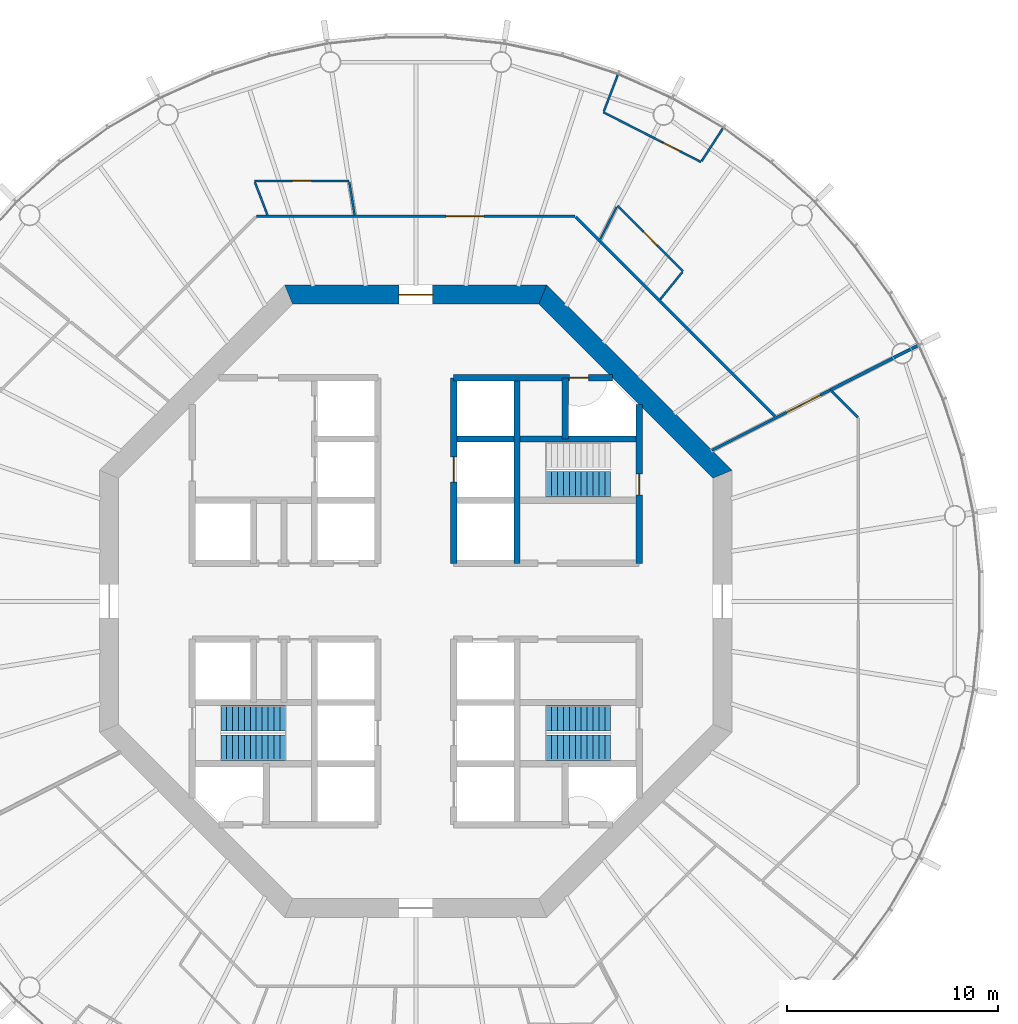
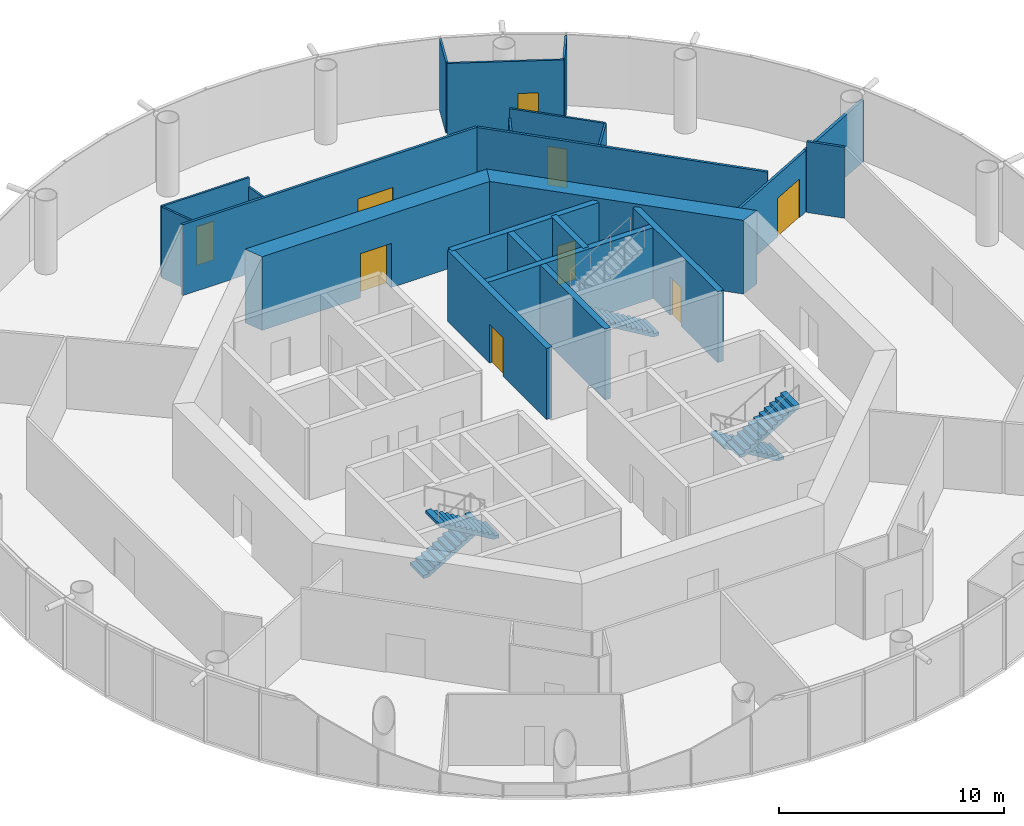
# One storey, part 5 of 13: 22 walls, 9 doors, 5 stair flights, 9 openings, 3 elements without a shape of their own.
"""IFC4 building model written with IfcOpenShell, lengths in metres."""

from ifc_helpers import new_model, si_unit, direction, frame, frame_2d, origin, place, context, subcontext, project, spatial, polyline, rectangle, outline, extrude, material, layer, layer_set, type_object, element, fill, aggregate, save


model = new_model("IFC4")

# Units and contexts
model_context = context("Model", 3, precision=1e-05, world=origin(), true_north=direction((0.0, 1.0)))
body_context = subcontext(model_context, "Body", "Model", "MODEL_VIEW")
ifc_project = project(units=[si_unit("LENGTHUNIT", "METRE"), si_unit("AREAUNIT", "SQUARE_METRE"), si_unit("VOLUMEUNIT", "CUBIC_METRE"), si_unit("PLANEANGLEUNIT", "RADIAN"), si_unit("MASSUNIT", "GRAM", prefix="KILO")], contexts=[model_context])

# Site, building, storey
site_placement = place(None, origin())
site = spatial("IfcSite", under=ifc_project, at=site_placement, CompositionType="ELEMENT")
building_placement = place(site_placement, origin())
building = spatial("IfcBuilding", under=site, at=building_placement, Name="Entoto Ring Tower", CompositionType="ELEMENT")
storey_placement = place(building_placement, frame((0.0, 0.0, 258.0)))
storey = spatial("IfcBuildingStorey", under=building, at=storey_placement, Name="L59", CompositionType="ELEMENT", Elevation=258.0)

# Wall, opening, door
ifc_material_1 = material(Name="Concrete C40/50", Category="concrete")
ifc_layer_1 = layer(ifc_material_1, 0.300048828125)
ifc_layer_set_1 = layer_set([ifc_layer_1], Name="Concrete C40/50")
wall_type_1 = type_object("IfcWallType", Name="Core enclosure wall 300 mm reinforced concrete", PredefinedType="SOLIDWALL", material=ifc_layer_set_1)
wall_1_placement = place(storey_placement, frame((100.60009765625, 81.800048828125, 0.0), z_axis=(0.0, 0.0, 1.0), x_axis=(0.0, 1.0, 0.0)))
wall_1 = element("IfcWall", 1, at=wall_1_placement, inside=storey, type_object=wall_type_1, Name="wall-L59-002", PredefinedType="SOLIDWALL", context=body_context, shape_type="SweptSolid", body=[
    extrude(rectangle(XDim=7.540283203125, YDim=0.300048828125, at=frame_2d((3.77001953125, 0.0))), origin(), (0.0, 0.0, 1.0), 3.85009765625),
])
opening_1_placement = place(wall_1_placement, frame((3.25, 0.0, 0.0)))
opening_1 = element("IfcOpeningElement", 2, at=opening_1_placement, cuts=wall_1, Name="Opening K-17", PredefinedType="OPENING", context=body_context, shape_type="SweptSolid", body=[
    extrude(rectangle(XDim=1.0, YDim=2.10009765625, at=frame_2d((0.5, 1.050048828125))), frame((0.0, 0.16015625, 0.0), z_axis=(0.0, -1.0, 0.0), x_axis=(1.0, 0.0, 0.0)), (0.0, 0.0, 1.0), 0.320068359375),
])
ifc_material_2 = material(Name="Steel door leaf, fire rated", Category="steel")
ifc_layer_2 = layer(ifc_material_2, 0.050048828125)
ifc_layer_set_2 = layer_set([ifc_layer_2], Name="Steel door leaf, fire rated")
door_type_1 = type_object("IfcDoorType", Name="Fire door FD60 1000 x 2100 single leaf", OperationType="NOTDEFINED", PredefinedType="DOOR", material=ifc_layer_set_2)
door_1_placement = place(opening_1_placement, origin())
door_1 = element("IfcDoor", 3, at=door_1_placement, inside=storey, type_object=door_type_1, Name="Door K-17", OperationType="SINGLE_SWING_LEFT", OverallHeight=2.10009765625, OverallWidth=1.0, PredefinedType="DOOR", context=body_context, shape_type="SweptSolid", body=[
    extrude(rectangle(XDim=1.0, YDim=2.10009765625, at=frame_2d((0.5, 1.050048828125))), frame((0.0, 0.02490234375, 0.0), z_axis=(0.0, -1.0, 0.0), x_axis=(1.0, 0.0, 0.0)), (0.0, 0.0, 1.0), 0.050048828125),
])
fill(opening_1, door_1)

# Walls
wall_2_placement = place(storey_placement, frame((97.10009765625, 87.699951171875, 0.0), z_axis=(0.0, 0.0, 1.0), x_axis=(0.0, 1.0, 0.0)))
element("IfcWall", 4, at=wall_2_placement, inside=storey, type_object=wall_type_1, Name="wall-L59-004", PredefinedType="SOLIDWALL", context=body_context, shape_type="SweptSolid", body=[
    extrude(rectangle(XDim=2.900146484375, YDim=0.300048828125, at=frame_2d((1.4501953125, 0.0))), origin(), (0.0, 0.0, 1.0), 3.85009765625),
])
wall_3_placement = place(storey_placement, frame((94.800048828125, 81.800048828125, 0.0), z_axis=(0.0, 0.0, 1.0), x_axis=(0.0, 1.0, 0.0)))
element("IfcWall", 5, at=wall_3_placement, inside=storey, type_object=wall_type_1, Name="wall-L59-006", PredefinedType="SOLIDWALL", context=body_context, shape_type="SweptSolid", body=[
    extrude(rectangle(XDim=8.800048828125, YDim=0.300048828125, at=frame_2d((4.39990234375, 0.0))), origin(), (0.0, 0.0, 1.0), 3.85009765625),
])

# Wall, opening, door
wall_4_placement = place(storey_placement, frame((91.800048828125, 81.800048828125, 0.0), z_axis=(0.0, 0.0, 1.0), x_axis=(0.0, 1.0, 0.0)))
wall_4 = element("IfcWall", 6, at=wall_4_placement, inside=storey, type_object=wall_type_1, Name="wall-L59-008", PredefinedType="SOLIDWALL", context=body_context, shape_type="SweptSolid", body=[
    extrude(rectangle(XDim=8.800048828125, YDim=0.300048828125, at=frame_2d((4.39990234375, 0.0))), origin(), (0.0, 0.0, 1.0), 3.85009765625),
])
opening_2_placement = place(wall_4_placement, frame((3.85009765625, 0.0, 0.0)))
opening_2 = element("IfcOpeningElement", 7, at=opening_2_placement, cuts=wall_4, Name="Opening LD", PredefinedType="OPENING", context=body_context, shape_type="SweptSolid", body=[
    extrude(rectangle(XDim=1.199951171875, YDim=2.10009765625, at=frame_2d((0.60009765625, 1.050048828125))), frame((0.0, 0.16015625, 0.0), z_axis=(0.0, -1.0, 0.0), x_axis=(1.0, 0.0, 0.0)), (0.0, 0.0, 1.0), 0.320068359375),
])
ifc_material_3 = material(Name="Steel and glass door leaf", Category="steel")
ifc_layer_3 = layer(ifc_material_3, 0.050048828125)
ifc_layer_set_3 = layer_set([ifc_layer_3], Name="Steel and glass door leaf")
door_type_2 = type_object("IfcDoorType", Name="Landing door 1200 x 2100 sliding", OperationType="DOUBLE_DOOR_SLIDING", PredefinedType="DOOR", material=ifc_layer_set_3)
door_2_placement = place(opening_2_placement, origin())
door_2 = element("IfcDoor", 8, at=door_2_placement, inside=storey, type_object=door_type_2, Name="Landing door LB1-MR", OperationType="SLIDING_TO_RIGHT", OverallHeight=2.10009765625, OverallWidth=1.199951171875, PredefinedType="DOOR", context=body_context, shape_type="SweptSolid", body=[
    extrude(rectangle(XDim=1.199951171875, YDim=2.10009765625, at=frame_2d((0.60009765625, 1.050048828125))), frame((0.0, 0.02490234375, 0.0), z_axis=(0.0, -1.0, 0.0), x_axis=(1.0, 0.0, 0.0)), (0.0, 0.0, 1.0), 0.050048828125),
])
fill(opening_2, door_2)

# Wall
wall_5_placement = place(storey_placement, frame((91.800048828125, 87.699951171875, 0.0), z_axis=(0.0, 0.0, 1.0), x_axis=(1.0, 0.0, 0.0)))
element("IfcWall", 9, at=wall_5_placement, inside=storey, type_object=wall_type_1, Name="wall-L59-033", PredefinedType="SOLIDWALL", context=body_context, shape_type="SweptSolid", body=[
    extrude(rectangle(XDim=8.800048828125, YDim=0.300048828125, at=frame_2d((4.39990234375, 0.0))), origin(), (0.0, 0.0, 1.0), 3.85009765625),
])

# Wall, opening, door
wall_6_placement = place(storey_placement, frame((91.800048828125, 90.60009765625, 0.0), z_axis=(0.0, 0.0, 1.0), x_axis=(1.0, 0.0, 0.0)))
wall_6 = element("IfcWall", 10, at=wall_6_placement, inside=storey, type_object=wall_type_1, Name="wall-L59-035", PredefinedType="SOLIDWALL", context=body_context, shape_type="SweptSolid", body=[
    extrude(rectangle(XDim=7.540283203125, YDim=0.300048828125, at=frame_2d((3.77001953125, 0.0))), origin(), (0.0, 0.0, 1.0), 3.85009765625),
])
opening_3_placement = place(wall_6_placement, frame((5.5, 0.0, 0.0)))
opening_3 = element("IfcOpeningElement", 11, at=opening_3_placement, cuts=wall_6, Name="Opening K-20", PredefinedType="OPENING", context=body_context, shape_type="SweptSolid", body=[
    extrude(rectangle(XDim=0.89990234375, YDim=2.10009765625, at=frame_2d((0.449951171875, 1.050048828125))), frame((0.0, 0.16015625, 0.0), z_axis=(0.0, -1.0, 0.0), x_axis=(1.0, 0.0, 0.0)), (0.0, 0.0, 1.0), 0.320068359375),
])
ifc_material_4 = material(Name="Steel door leaf, fire rated", Category="steel")
ifc_layer_4 = layer(ifc_material_4, 0.050048828125)
ifc_layer_set_4 = layer_set([ifc_layer_4], Name="Steel door leaf, fire rated")
door_type_3 = type_object("IfcDoorType", Name="Riser door FD60 900 x 2100 single leaf", OperationType="NOTDEFINED", PredefinedType="DOOR", material=ifc_layer_set_4)
door_3_placement = place(opening_3_placement, frame((0.89990234375, 0.0, 0.0), z_axis=(0.0, 0.0, 1.0), x_axis=(-1.0, 0.0, 0.0)))
door_3 = element("IfcDoor", 12, at=door_3_placement, inside=storey, type_object=door_type_3, Name="Door K-20", OperationType="SINGLE_SWING_RIGHT", OverallHeight=2.10009765625, OverallWidth=0.89990234375, PredefinedType="DOOR", context=body_context, shape_type="SweptSolid", body=[
    extrude(rectangle(XDim=0.89990234375, YDim=2.10009765625, at=frame_2d((0.449951171875, 1.050048828125))), frame((0.0, 0.02490234375, 0.0), z_axis=(0.0, -1.0, 0.0), x_axis=(1.0, 0.0, 0.0)), (0.0, 0.0, 1.0), 0.050048828125),
])
fill(opening_3, door_3)

# Wall
ifc_material_5 = material(Name="Concrete C50/60", Category="concrete")
ifc_layer_5 = layer(ifc_material_5, 0.89990234375)
ifc_layer_set_5 = layer_set([ifc_layer_5], Name="Concrete C50/60")
wall_type_2 = type_object("IfcWallType", Name="Core shear wall 900 mm reinforced concrete C50/60", PredefinedType="SHEAR", material=ifc_layer_set_5)
wall_7_placement = place(storey_placement, frame((104.550048828125, 86.02685546875, 0.0), z_axis=(0.0, 0.0, 1.0), x_axis=(-0.707106781187, 0.707106781187, 0.0)))
element("IfcWall", 13, at=wall_7_placement, inside=storey, type_object=wall_type_2, Name="wall-L59-core-1", PredefinedType="SHEAR", context=body_context, shape_type="SweptSolid", body=[
    extrude(outline(polyline([(-0.186279296875, -0.449951171875), (12.239990234375, -0.449951171875), (11.867431640625, 0.449951171875), (0.186279296875, 0.449951171875), (-0.186279296875, -0.449951171875)])), origin(), (0.0, 0.0, 1.0), 4.0),
])

# Wall, opening, door
wall_8_placement = place(storey_placement, frame((96.02685546875, 94.550048828125, 0.0), z_axis=(0.0, 0.0, 1.0), x_axis=(-1.0, 0.0, 0.0)))
wall_8 = element("IfcWall", 14, at=wall_8_placement, inside=storey, type_object=wall_type_2, Name="wall-L59-core-2", PredefinedType="SHEAR", context=body_context, shape_type="SweptSolid", body=[
    extrude(outline(polyline([(-0.186279296875, -0.449951171875), (12.239990234375, -0.449951171875), (11.867431640625, 0.449951171875), (0.186279296875, 0.449951171875), (-0.186279296875, -0.449951171875)])), origin(), (0.0, 0.0, 1.0), 4.0),
])
opening_4_placement = place(wall_8_placement, frame((5.226806640625, 0.0, 0.0)))
opening_4 = element("IfcOpeningElement", 15, at=opening_4_placement, cuts=wall_8, Name="Opening K-02", PredefinedType="OPENING", context=body_context, shape_type="SweptSolid", body=[
    extrude(rectangle(XDim=1.60009765625, YDim=2.39990234375, at=frame_2d((0.800048828125, 1.199951171875))), frame((0.0, 0.4599609375, 0.0), z_axis=(0.0, -1.0, 0.0), x_axis=(1.0, 0.0, 0.0)), (0.0, 0.0, 1.0), 0.919921875),
])
ifc_material_6 = material(Name="Steel door leaf, fire rated", Category="steel")
ifc_layer_6 = layer(ifc_material_6, 0.050048828125)
ifc_layer_set_6 = layer_set([ifc_layer_6], Name="Steel door leaf, fire rated")
door_type_4 = type_object("IfcDoorType", Name="Entrance door FD60 1600 x 2400 double leaf", OperationType="DOUBLE_DOOR_SINGLE_SWING", PredefinedType="DOOR", material=ifc_layer_set_6)
door_4_placement = place(opening_4_placement, origin())
door_4 = element("IfcDoor", 16, at=door_4_placement, inside=storey, type_object=door_type_4, Name="Entrance door K-02", OperationType="DOUBLE_DOOR_SINGLE_SWING", OverallHeight=2.39990234375, OverallWidth=1.60009765625, PredefinedType="DOOR", context=body_context, shape_type="SweptSolid", body=[
    extrude(rectangle(XDim=1.60009765625, YDim=2.39990234375, at=frame_2d((0.800048828125, 1.199951171875))), frame((0.0, 0.02490234375, 0.0), z_axis=(0.0, -1.0, 0.0), x_axis=(1.0, 0.0, 0.0)), (0.0, 0.0, 1.0), 0.050048828125),
])
fill(opening_4, door_4)

ifc_material_7 = material(Name="Fire-resisting plasterboard on steel studs", Category="steel")
ifc_layer_7 = layer(ifc_material_7, 0.125)
ifc_layer_set_7 = layer_set([ifc_layer_7], Name="Fire-resisting plasterboard on steel studs")
wall_type_3 = type_object("IfcWallType", Name="Corridor wall 125 mm one-hour plasterboard on steel studs", PredefinedType="PARTITIONING", material=ifc_layer_set_7)
wall_9_placement = place(storey_placement, frame((82.435302734375, 98.262451171875, 0.0), z_axis=(0.0, 0.0, 1.0), x_axis=(1.0, 0.0, 0.0)))
wall_9 = element("IfcWall", 17, at=wall_9_placement, inside=storey, type_object=wall_type_3, Name="partition-L59-004", PredefinedType="PARTITIONING", context=body_context, shape_type="SweptSolid", body=[
    extrude(rectangle(XDim=15.12939453125, YDim=0.125, at=frame_2d((7.564697265625, 0.0))), origin(), (0.0, 0.0, 1.0), 3.85009765625),
])
opening_5_placement = place(wall_9_placement, frame((9.00048828125, 0.0, 0.0)))
opening_5 = element("IfcOpeningElement", 18, at=opening_5_placement, cuts=wall_9, Name="Opening A25-D03", PredefinedType="OPENING", context=body_context, shape_type="SweptSolid", body=[
    extrude(rectangle(XDim=1.800048828125, YDim=2.10009765625, at=frame_2d((0.89990234375, 1.050048828125))), frame((0.0, 0.072509765625, 0.0), z_axis=(0.0, -1.0, 0.0), x_axis=(1.0, 0.0, 0.0)), (0.0, 0.0, 1.0), 0.14501953125),
])
ifc_material_8 = material(Name="Fire-resisting timber door set", Category="wood")
door_type_5 = type_object("IfcDoorType", Name="Door 1800 x 2100 double leaf FD30S fire door", OperationType="DOUBLE_DOOR_SINGLE_SWING", PredefinedType="DOOR", material=ifc_material_8)
door_5_placement = place(opening_5_placement, origin())
door_5 = element("IfcDoor", 19, at=door_5_placement, inside=storey, type_object=door_type_5, Name="Door A25-D03", OperationType="DOUBLE_DOOR_SINGLE_SWING", OverallHeight=2.10009765625, OverallWidth=1.800048828125, PredefinedType="DOOR", context=body_context, shape_type="SweptSolid", body=[
    extrude(rectangle(XDim=1.800048828125, YDim=2.10009765625, at=frame_2d((0.89990234375, 1.050048828125))), frame((0.0, 0.02490234375, 0.0), z_axis=(0.0, -1.0, 0.0), x_axis=(1.0, 0.0, 0.0)), (0.0, 0.0, 1.0), 0.050048828125),
])
fill(opening_5, door_5)

# Walls
wall_10_placement = place(storey_placement, frame((107.048583984375, 88.7783203125, 0.0), z_axis=(0.0, 0.0, 1.0), x_axis=(-0.707097649982, 0.707115912273, 0.0)))
element("IfcWall", 20, at=wall_10_placement, inside=storey, type_object=wall_type_3, Name="partition-L59-006", PredefinedType="PARTITIONING", context=body_context, shape_type="SweptSolid", body=[
    extrude(rectangle(XDim=13.36865234375, YDim=0.125, at=frame_2d((6.684326171875, 0.0))), origin(), (0.0, 0.0, 1.0), 3.85009765625),
])
wall_11_placement = place(storey_placement, frame((110.968994140625, 88.7294921875, 0.0), z_axis=(0.0, 0.0, 1.0), x_axis=(-0.707106781187, 0.707106781187, 0.0)))
element("IfcWall", 21, at=wall_11_placement, inside=storey, type_object=wall_type_3, Name="partition-L59-016", PredefinedType="PARTITIONING", context=body_context, shape_type="SweptSolid", body=[
    extrude(rectangle(XDim=1.732177734375, YDim=0.125, at=frame_2d((0.8662109375, 0.0))), origin(), (0.0, 0.0, 1.0), 3.85009765625),
])

# Wall, opening, door
ifc_material_9 = material(Name="Fire-resisting plasterboard on steel studs", Category="steel")
ifc_layer_8 = layer(ifc_material_9, 0.125)
ifc_layer_set_8 = layer_set([ifc_layer_8], Name="Fire-resisting plasterboard on steel studs")
wall_type_4 = type_object("IfcWallType", Name="Corridor wall 125 mm one-hour plasterboard on steel studs, 3350 mm high", PredefinedType="PARTITIONING", material=ifc_layer_set_8)
wall_12_placement = place(storey_placement, frame((104.052978515625, 87.160400390625, 0.0), z_axis=(0.0, 0.0, 1.0), x_axis=(0.891011438751, 0.453980854238, 0.0)))
wall_12 = element("IfcWall", 22, at=wall_12_placement, inside=storey, type_object=wall_type_4, Name="partition-L59-011", PredefinedType="PARTITIONING", context=body_context, shape_type="SweptSolid", body=[
    extrude(rectangle(XDim=6.30859375, YDim=0.125, at=frame_2d((3.154296875, 0.0))), origin(), (0.0, 0.0, 1.0), 3.35009765625),
])
opening_6_placement = place(wall_12_placement, frame((3.969482421875, 0.0, 0.0)))
opening_6 = element("IfcOpeningElement", 23, at=opening_6_placement, cuts=wall_12, Name="Opening A25-D04", PredefinedType="OPENING", context=body_context, shape_type="SweptSolid", body=[
    extrude(rectangle(XDim=1.800048828125, YDim=2.10009765625, at=frame_2d((0.89990234375, 1.050048828125))), frame((0.0, 0.072509765625, 0.0), z_axis=(0.0, -1.0, 0.0), x_axis=(1.0, 0.0, 0.0)), (0.0, 0.0, 1.0), 0.14501953125),
])
door_6_placement = place(opening_6_placement, origin())
door_6 = element("IfcDoor", 24, at=door_6_placement, inside=storey, type_object=door_type_5, Name="Door A25-D04", OperationType="DOUBLE_DOOR_SINGLE_SWING", OverallHeight=2.10009765625, OverallWidth=1.800048828125, PredefinedType="DOOR", context=body_context, shape_type="SweptSolid", body=[
    extrude(rectangle(XDim=1.800048828125, YDim=2.10009765625, at=frame_2d((0.89990234375, 1.050048828125))), frame((0.0, 0.02490234375, 0.0), z_axis=(0.0, -1.0, 0.0), x_axis=(1.0, 0.0, 0.0)), (0.0, 0.0, 1.0), 0.050048828125),
])
fill(opening_6, door_6)

ifc_material_10 = material(Name="Plasterboard on steel studs", Category="steel")
ifc_layer_9 = layer(ifc_material_10, 0.10009765625)
ifc_layer_set_9 = layer_set([ifc_layer_9], Name="Plasterboard on steel studs")
wall_type_5 = type_object("IfcWallType", Name="Partition 100 mm plasterboard on steel studs", PredefinedType="PARTITIONING", material=ifc_layer_set_9)
wall_13_placement = place(storey_placement, frame((103.5341796875, 100.841064453125, 0.0), z_axis=(0.0, 0.0, 1.0), x_axis=(-0.891008292102, 0.453987029997, 0.0)))
wall_13 = element("IfcWall", 25, at=wall_13_placement, inside=storey, type_object=wall_type_5, Name="partition-L59-023", PredefinedType="PARTITIONING", context=body_context, shape_type="SweptSolid", body=[
    extrude(rectangle(XDim=5.19482421875, YDim=0.10009765625, at=frame_2d((2.597412109375, 0.0))), origin(), (0.0, 0.0, 1.0), 3.85009765625),
])
opening_7_placement = place(wall_13_placement, frame((1.12890625, 0.0, 0.0)))
opening_7 = element("IfcOpeningElement", 26, at=opening_7_placement, cuts=wall_13, Name="Opening A25-D07", PredefinedType="OPENING", context=body_context, shape_type="SweptSolid", body=[
    extrude(rectangle(XDim=0.89990234375, YDim=2.10009765625, at=frame_2d((0.449951171875, 1.050048828125))), frame((0.0, 0.06005859375, 0.0), z_axis=(0.0, -1.0, 0.0), x_axis=(1.0, 0.0, 0.0)), (0.0, 0.0, 1.0), 0.1201171875),
])
ifc_material_11 = material(Name="Veneered timber door leaf in timber frame", Category="wood")
door_type_6 = type_object("IfcDoorType", Name="Door 900 x 2100 single leaf timber veneer", OperationType="NOTDEFINED", PredefinedType="DOOR", material=ifc_material_11)
door_7_placement = place(opening_7_placement, frame((0.89990234375, 0.0, 0.0), z_axis=(0.0, 0.0, 1.0), x_axis=(-1.0, 0.0, 0.0)))
door_7 = element("IfcDoor", 27, at=door_7_placement, inside=storey, type_object=door_type_6, Name="Door A25-D07", OperationType="SINGLE_SWING_RIGHT", OverallHeight=2.10009765625, OverallWidth=0.89990234375, PredefinedType="DOOR", context=body_context, shape_type="SweptSolid", body=[
    extrude(rectangle(XDim=0.89990234375, YDim=2.10009765625, at=frame_2d((0.449951171875, 1.050048828125))), frame((0.0, 0.02490234375, 0.0), z_axis=(0.0, -1.0, 0.0), x_axis=(1.0, 0.0, 0.0)), (0.0, 0.0, 1.0), 0.050048828125),
])
fill(opening_7, door_7)

wall_14_placement = place(storey_placement, frame((82.3447265625, 99.9423828125, 0.0), z_axis=(0.0, 0.0, 1.0), x_axis=(1.0, 0.0, 0.0)))
wall_14 = element("IfcWall", 28, at=wall_14_placement, inside=storey, type_object=wall_type_5, Name="partition-L59-025", PredefinedType="PARTITIONING", context=body_context, shape_type="SweptSolid", body=[
    extrude(rectangle(XDim=4.49658203125, YDim=0.10009765625, at=frame_2d((2.248291015625, 0.0))), origin(), (0.0, 0.0, 1.0), 3.85009765625),
])
opening_8_placement = place(wall_14_placement, frame((1.79833984375, 0.0, 0.0)))
opening_8 = element("IfcOpeningElement", 29, at=opening_8_placement, cuts=wall_14, Name="Opening A25-D06", PredefinedType="OPENING", context=body_context, shape_type="SweptSolid", body=[
    extrude(rectangle(XDim=0.89990234375, YDim=2.10009765625, at=frame_2d((0.449951171875, 1.050048828125))), frame((0.0, 0.06005859375, 0.0), z_axis=(0.0, -1.0, 0.0), x_axis=(1.0, 0.0, 0.0)), (0.0, 0.0, 1.0), 0.1201171875),
])
door_8_placement = place(opening_8_placement, frame((0.89990234375, 0.0, 0.0), z_axis=(0.0, 0.0, 1.0), x_axis=(-1.0, 0.0, 0.0)))
door_8 = element("IfcDoor", 30, at=door_8_placement, inside=storey, type_object=door_type_6, Name="Door A25-D06", OperationType="SINGLE_SWING_RIGHT", OverallHeight=2.10009765625, OverallWidth=0.89990234375, PredefinedType="DOOR", context=body_context, shape_type="SweptSolid", body=[
    extrude(rectangle(XDim=0.89990234375, YDim=2.10009765625, at=frame_2d((0.449951171875, 1.050048828125))), frame((0.0, 0.02490234375, 0.0), z_axis=(0.0, -1.0, 0.0), x_axis=(1.0, 0.0, 0.0)), (0.0, 0.0, 1.0), 0.050048828125),
])
fill(opening_8, door_8)

wall_15_placement = place(storey_placement, frame((102.67626953125, 95.65380859375, 0.0), z_axis=(0.0, 0.0, 1.0), x_axis=(-0.707106781187, 0.707106781187, 0.0)))
wall_15 = element("IfcWall", 31, at=wall_15_placement, inside=storey, type_object=wall_type_5, Name="partition-L59-026", PredefinedType="PARTITIONING", context=body_context, shape_type="SweptSolid", body=[
    extrude(rectangle(XDim=4.403564453125, YDim=0.10009765625, at=frame_2d((2.20166015625, 0.0))), origin(), (0.0, 0.0, 1.0), 3.85009765625),
])
opening_9_placement = place(wall_15_placement, frame((1.751708984375, 0.0, 0.0)))
opening_9 = element("IfcOpeningElement", 32, at=opening_9_placement, cuts=wall_15, Name="Opening A25-D05", PredefinedType="OPENING", context=body_context, shape_type="SweptSolid", body=[
    extrude(rectangle(XDim=0.89990234375, YDim=2.10009765625, at=frame_2d((0.449951171875, 1.050048828125))), frame((0.0, 0.06005859375, 0.0), z_axis=(0.0, -1.0, 0.0), x_axis=(1.0, 0.0, 0.0)), (0.0, 0.0, 1.0), 0.1201171875),
])
door_9_placement = place(opening_9_placement, origin())
door_9 = element("IfcDoor", 33, at=door_9_placement, inside=storey, type_object=door_type_6, Name="Door A25-D05", OperationType="SINGLE_SWING_RIGHT", OverallHeight=2.10009765625, OverallWidth=0.89990234375, PredefinedType="DOOR", context=body_context, shape_type="SweptSolid", body=[
    extrude(rectangle(XDim=0.89990234375, YDim=2.10009765625, at=frame_2d((0.449951171875, 1.050048828125))), frame((0.0, 0.02490234375, 0.0), z_axis=(0.0, -1.0, 0.0), x_axis=(1.0, 0.0, 0.0)), (0.0, 0.0, 1.0), 0.050048828125),
])
fill(opening_9, door_9)

# Walls
for number, where, z_axis, x_axis, name in (
    (34, (98.923095703125, 103.245849609375, 0.0), (0.0, 0.0, 1.0), (0.358454526413, 0.933547188145, 0.0), "partition-L59-035"),
    (35, (103.561279296875, 100.882568359375, 0.0), (0.0, 0.0, 1.0), (0.544680573421, 0.838643591127, 0.0), "partition-L59-036"),
):
    element("IfcWall", number, at=place(storey_placement, frame(where, z_axis=z_axis, x_axis=x_axis)), inside=storey, type_object=wall_type_5, Name=name, PredefinedType="PARTITIONING", context=body_context, shape_type="SweptSolid", body=[
        extrude(rectangle(XDim=1.84033203125, YDim=0.10009765625, at=frame_2d((0.920166015625, 0.0))), origin(), (0.0, 0.0, 1.0), 3.85009765625),
    ])
wall_16_placement = place(storey_placement, frame((82.958984375, 98.3427734375, 0.0), z_axis=(0.0, 0.0, 1.0), x_axis=(-0.3584007789, 0.933567823826, 0.0)))
element("IfcWall", 36, at=wall_16_placement, inside=storey, type_object=wall_type_5, Name="partition-L59-040", PredefinedType="PARTITIONING", context=body_context, shape_type="SweptSolid", body=[
    extrude(rectangle(XDim=1.64111328125, YDim=0.10009765625, at=frame_2d((0.820556640625, 0.0))), origin(), (0.0, 0.0, 1.0), 3.85009765625),
])
wall_17_placement = place(storey_placement, frame((101.59912109375, 94.32373046875, 0.0), z_axis=(0.0, 0.0, 1.0), x_axis=(0.629341903283, 0.777128540701, 0.0)))
element("IfcWall", 37, at=wall_17_placement, inside=storey, type_object=wall_type_5, Name="partition-L59-042", PredefinedType="PARTITIONING", context=body_context, shape_type="SweptSolid", body=[
    extrude(rectangle(XDim=1.661865234375, YDim=0.10009765625, at=frame_2d((0.8310546875, 0.0))), origin(), (0.0, 0.0, 1.0), 3.85009765625),
])
ifc_material_12 = material(Name="Plasterboard on steel studs", Category="steel")
ifc_layer_10 = layer(ifc_material_12, 0.10009765625)
ifc_layer_set_10 = layer_set([ifc_layer_10], Name="Plasterboard on steel studs")
wall_type_6 = type_object("IfcWallType", Name="Partition 100 mm plasterboard on steel studs, 3350 mm high", PredefinedType="PARTITIONING", material=ifc_layer_set_10)
wall_18_placement = place(storey_placement, frame((98.7548828125, 97.182373046875, 0.0), z_axis=(0.0, 0.0, 1.0), x_axis=(0.453994195604, 0.891004641042, 0.0)))
element("IfcWall", 38, at=wall_18_placement, inside=storey, type_object=wall_type_6, Name="partition-L59-039", PredefinedType="PARTITIONING", context=body_context, shape_type="SweptSolid", body=[
    extrude(rectangle(XDim=1.710693359375, YDim=0.10009765625, at=frame_2d((0.85546875, 0.0))), origin(), (0.0, 0.0, 1.0), 3.35009765625),
])
wall_19_placement = place(storey_placement, frame((87.096435546875, 98.332763671875, 0.0), z_axis=(0.0, 0.0, 1.0), x_axis=(-0.156478148162, 0.987681420878, 0.0)))
element("IfcWall", 39, at=wall_19_placement, inside=storey, type_object=wall_type_6, Name="partition-L59-043", PredefinedType="PARTITIONING", context=body_context, shape_type="SweptSolid", body=[
    extrude(rectangle(XDim=1.58056640625, YDim=0.10009765625, at=frame_2d((0.790283203125, 0.0))), origin(), (0.0, 0.0, 1.0), 3.35009765625),
])
ifc_material_13 = material(Name="Fire-resisting acoustic plasterboard on steel studs", Category="steel")
ifc_layer_11 = layer(ifc_material_13, 0.14990234375)
ifc_layer_set_11 = layer_set([ifc_layer_11], Name="Fire-resisting acoustic plasterboard on steel studs")
wall_type_7 = type_object("IfcWallType", Name="Party wall 150 mm one-hour acoustic plasterboard on steel studs, 3350 mm high", PredefinedType="PARTITIONING", material=ifc_layer_set_11)
wall_20_placement = place(storey_placement, frame((109.67431640625, 90.0244140625, 0.0), z_axis=(0.0, 0.0, 1.0), x_axis=(0.89099510326, 0.454012913877, 0.0)))
element("IfcWall", 40, at=wall_20_placement, inside=storey, type_object=wall_type_7, Name="partition-L59-020", PredefinedType="PARTITIONING", context=body_context, shape_type="SweptSolid", body=[
    extrude(rectangle(XDim=4.658935546875, YDim=0.14990234375, at=frame_2d((2.32958984375, 0.0))), origin(), (0.0, 0.0, 1.0), 3.35009765625),
])

# Stair, stair flight
ifc_material_14 = material(Name="Concrete C40/50", Category="concrete")
stair_type = type_object("IfcStairType", Name="Exit stair 1200 mm dog-leg reinforced concrete", PredefinedType="HALF_TURN_STAIR", material=ifc_material_14)
stair_1_placement = place(storey_placement, origin())
stair_1 = element("IfcStair", 41, at=stair_1_placement, inside=storey, type_object=stair_type, Name="Exit stair 1", PredefinedType="HALF_TURN_STAIR")
ifc_material_15 = material(Name="Concrete C40/50", Category="concrete")
stair_flight_type = type_object("IfcStairFlightType", Name="Stair flight 1200 mm reinforced concrete", PredefinedType="STRAIGHT", material=ifc_material_15)
stair_flight_1_placement = place(storey_placement, frame((99.25, 85.550048828125, 0.0), z_axis=(0.0, 0.0, 1.0), x_axis=(-1.0, 0.0, 0.0)))
stair_flight_1 = element("IfcStairFlight", 42, at=stair_flight_1_placement, type_object=stair_flight_type, Name="ST1 flight 1", NumberOfRisers=12, NumberOfTreads=11, PredefinedType="STRAIGHT", RiserHeight=0.166666667, TreadLength=0.28, context=body_context, shape_type="SweptSolid", body=[
    extrude(outline(polyline([(0.0, 0.0), (0.0, 0.166748046875), (0.280029296875, 0.166748046875), (0.280029296875, 0.333251953125), (0.56005859375, 0.333251953125), (0.56005859375, 0.5), (0.840087890625, 0.5), (0.840087890625, 0.666748046875), (1.1201171875, 0.666748046875), (1.1201171875, 0.833251953125), (1.39990234375, 0.833251953125), (1.39990234375, 1.0), (1.679931640625, 1.0), (1.679931640625, 1.166748046875), (1.9599609375, 1.166748046875), (1.9599609375, 1.333251953125), (2.239990234375, 1.333251953125), (2.239990234375, 1.5), (2.52001953125, 1.5), (2.52001953125, 1.666748046875), (2.800048828125, 1.666748046875), (2.800048828125, 1.833251953125), (3.080078125, 1.833251953125), (3.080078125, 2.0), (3.080078125, 1.658935546875), (0.29296875, 0.0), (0.0, 0.0)])), frame((0.0, 0.60009765625, 0.0), z_axis=(0.0, -1.0, 0.0), x_axis=(1.0, 0.0, 0.0)), (0.0, 0.0, 1.0), 1.199951171875),
])
aggregate(stair_1, [stair_flight_1])

# Stair, stair flights
stair_2_placement = place(storey_placement, origin())
stair_2 = element("IfcStair", 43, at=stair_2_placement, inside=storey, type_object=stair_type, Name="Exit stair 2", PredefinedType="HALF_TURN_STAIR")
stair_flight_2_placement = place(storey_placement, frame((80.75, 74.449951171875, 0.0), z_axis=(0.0, 0.0, 1.0), x_axis=(1.0, 0.0, 0.0)))
stair_flight_2 = element("IfcStairFlight", 44, at=stair_flight_2_placement, type_object=stair_flight_type, Name="ST2 flight 1", NumberOfRisers=12, NumberOfTreads=11, PredefinedType="STRAIGHT", RiserHeight=0.166666667, TreadLength=0.28, context=body_context, shape_type="SweptSolid", body=[
    extrude(outline(polyline([(0.0, 0.0), (0.0, 0.166748046875), (0.280029296875, 0.166748046875), (0.280029296875, 0.333251953125), (0.56005859375, 0.333251953125), (0.56005859375, 0.5), (0.840087890625, 0.5), (0.840087890625, 0.666748046875), (1.1201171875, 0.666748046875), (1.1201171875, 0.833251953125), (1.39990234375, 0.833251953125), (1.39990234375, 1.0), (1.679931640625, 1.0), (1.679931640625, 1.166748046875), (1.9599609375, 1.166748046875), (1.9599609375, 1.333251953125), (2.239990234375, 1.333251953125), (2.239990234375, 1.5), (2.52001953125, 1.5), (2.52001953125, 1.666748046875), (2.800048828125, 1.666748046875), (2.800048828125, 1.833251953125), (3.080078125, 1.833251953125), (3.080078125, 2.0), (3.080078125, 1.658935546875), (0.29296875, 0.0), (0.0, 0.0)])), frame((0.0, 0.60009765625, 0.0), z_axis=(0.0, -1.0, 0.0), x_axis=(1.0, 0.0, 0.0)), (0.0, 0.0, 1.0), 1.199951171875),
])
stair_flight_3_placement = place(storey_placement, frame((83.830078125, 73.050048828125, 2.0), z_axis=(0.0, 0.0, 1.0), x_axis=(-1.0, 0.0, 0.0)))
stair_flight_3 = element("IfcStairFlight", 45, at=stair_flight_3_placement, type_object=stair_flight_type, Name="ST2 flight 2", NumberOfRisers=12, NumberOfTreads=11, PredefinedType="STRAIGHT", RiserHeight=0.166666667, TreadLength=0.28, context=body_context, shape_type="SweptSolid", body=[
    extrude(outline(polyline([(0.0, 0.0), (0.0, 0.166748046875), (0.280029296875, 0.166748046875), (0.280029296875, 0.333251953125), (0.56005859375, 0.333251953125), (0.56005859375, 0.5), (0.840087890625, 0.5), (0.840087890625, 0.666748046875), (1.1201171875, 0.666748046875), (1.1201171875, 0.833251953125), (1.39990234375, 0.833251953125), (1.39990234375, 1.0), (1.679931640625, 1.0), (1.679931640625, 1.166748046875), (1.9599609375, 1.166748046875), (1.9599609375, 1.333251953125), (2.239990234375, 1.333251953125), (2.239990234375, 1.5), (2.52001953125, 1.5), (2.52001953125, 1.666748046875), (2.800048828125, 1.666748046875), (2.800048828125, 1.833251953125), (3.080078125, 1.833251953125), (3.080078125, 2.0), (3.080078125, 1.658935546875), (0.29296875, 0.0), (0.0, 0.0)])), frame((0.0, 0.60009765625, 0.0), z_axis=(0.0, -1.0, 0.0), x_axis=(1.0, 0.0, 0.0)), (0.0, 0.0, 1.0), 1.199951171875),
])
aggregate(stair_2, [stair_flight_2, stair_flight_3])

stair_3_placement = place(storey_placement, origin())
stair_3 = element("IfcStair", 46, at=stair_3_placement, inside=storey, type_object=stair_type, Name="Exit stair 3", PredefinedType="HALF_TURN_STAIR")
stair_flight_4_placement = place(storey_placement, frame((99.25, 74.449951171875, 0.0), z_axis=(0.0, 0.0, 1.0), x_axis=(-1.0, 0.0, 0.0)))
stair_flight_4 = element("IfcStairFlight", 47, at=stair_flight_4_placement, type_object=stair_flight_type, Name="ST3 flight 1", NumberOfRisers=12, NumberOfTreads=11, PredefinedType="STRAIGHT", RiserHeight=0.166666667, TreadLength=0.28, context=body_context, shape_type="SweptSolid", body=[
    extrude(outline(polyline([(0.0, 0.0), (0.0, 0.166748046875), (0.280029296875, 0.166748046875), (0.280029296875, 0.333251953125), (0.56005859375, 0.333251953125), (0.56005859375, 0.5), (0.840087890625, 0.5), (0.840087890625, 0.666748046875), (1.1201171875, 0.666748046875), (1.1201171875, 0.833251953125), (1.39990234375, 0.833251953125), (1.39990234375, 1.0), (1.679931640625, 1.0), (1.679931640625, 1.166748046875), (1.9599609375, 1.166748046875), (1.9599609375, 1.333251953125), (2.239990234375, 1.333251953125), (2.239990234375, 1.5), (2.52001953125, 1.5), (2.52001953125, 1.666748046875), (2.800048828125, 1.666748046875), (2.800048828125, 1.833251953125), (3.080078125, 1.833251953125), (3.080078125, 2.0), (3.080078125, 1.658935546875), (0.29296875, 0.0), (0.0, 0.0)])), frame((0.0, 0.60009765625, 0.0), z_axis=(0.0, -1.0, 0.0), x_axis=(1.0, 0.0, 0.0)), (0.0, 0.0, 1.0), 1.199951171875),
])
stair_flight_5_placement = place(storey_placement, frame((96.169921875, 73.050048828125, 2.0), z_axis=(0.0, 0.0, 1.0), x_axis=(1.0, 0.0, 0.0)))
stair_flight_5 = element("IfcStairFlight", 48, at=stair_flight_5_placement, type_object=stair_flight_type, Name="ST3 flight 2", NumberOfRisers=12, NumberOfTreads=11, PredefinedType="STRAIGHT", RiserHeight=0.166666667, TreadLength=0.28, context=body_context, shape_type="SweptSolid", body=[
    extrude(outline(polyline([(0.0, 0.0), (0.0, 0.166748046875), (0.280029296875, 0.166748046875), (0.280029296875, 0.333251953125), (0.56005859375, 0.333251953125), (0.56005859375, 0.5), (0.840087890625, 0.5), (0.840087890625, 0.666748046875), (1.1201171875, 0.666748046875), (1.1201171875, 0.833251953125), (1.39990234375, 0.833251953125), (1.39990234375, 1.0), (1.679931640625, 1.0), (1.679931640625, 1.166748046875), (1.9599609375, 1.166748046875), (1.9599609375, 1.333251953125), (2.239990234375, 1.333251953125), (2.239990234375, 1.5), (2.52001953125, 1.5), (2.52001953125, 1.666748046875), (2.800048828125, 1.666748046875), (2.800048828125, 1.833251953125), (3.080078125, 1.833251953125), (3.080078125, 2.0), (3.080078125, 1.658935546875), (0.29296875, 0.0), (0.0, 0.0)])), frame((0.0, 0.60009765625, 0.0), z_axis=(0.0, -1.0, 0.0), x_axis=(1.0, 0.0, 0.0)), (0.0, 0.0, 1.0), 1.199951171875),
])
aggregate(stair_3, [stair_flight_4, stair_flight_5])

save(model, "model.ifc")
